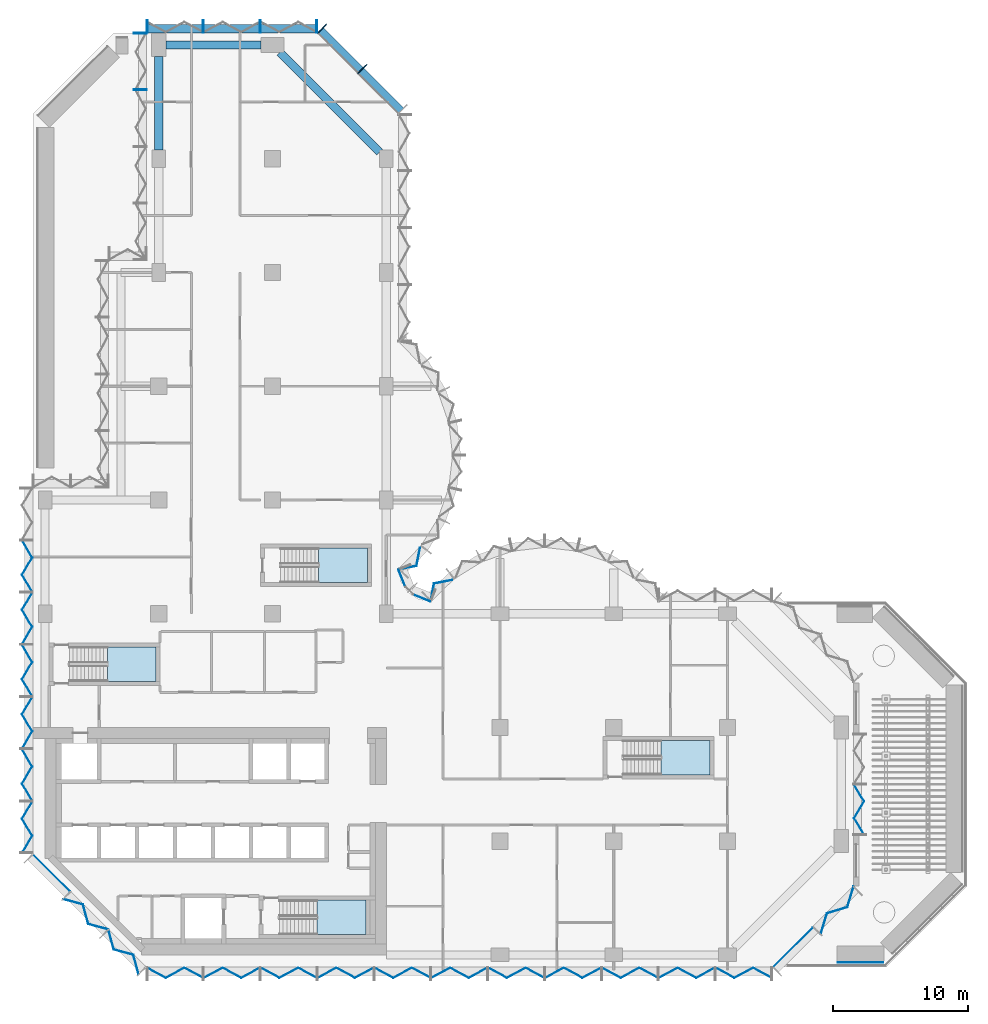
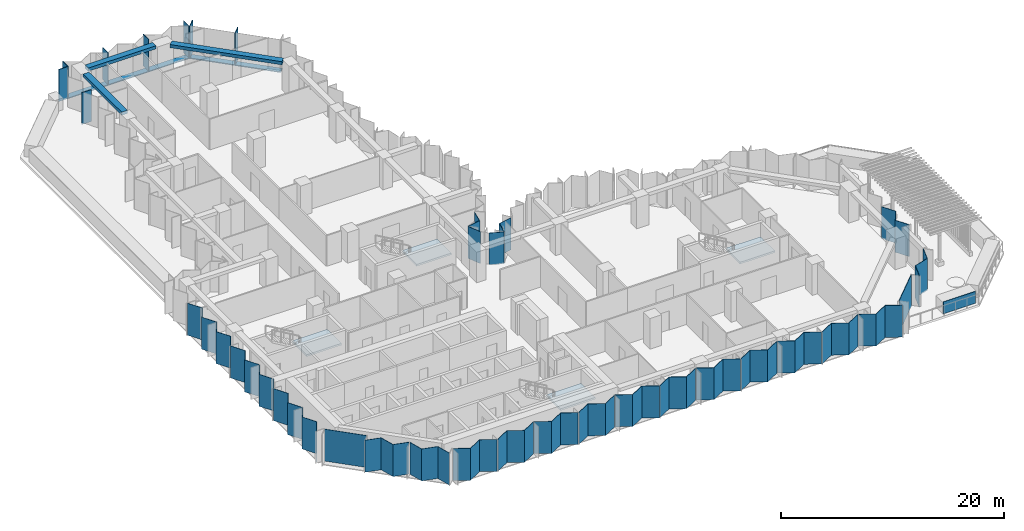
# One storey, part 7 of 18: 28 plates, 10 members, 4 slabs, 3 beams, 15 elements without a shape of their own.
"""IFC4 building model written with IfcOpenShell, lengths in metres."""

from ifc_helpers import new_model, si_unit, direction, frame, origin, origin_2d, place, context, subcontext, project, spatial, polyline, rectangle, outline, extrude, material, layer, layer_set, material_profile, profile_set, type_object, element, aggregate, save


model = new_model("IFC4")

# Units and contexts
model_context = context("Model", 3, precision=1e-05, world=origin(), true_north=direction((0.0, 1.0)))
body_context = subcontext(model_context, "Body", "Model", "MODEL_VIEW")
ifc_project = project(units=[si_unit("LENGTHUNIT", "METRE"), si_unit("AREAUNIT", "SQUARE_METRE"), si_unit("VOLUMEUNIT", "CUBIC_METRE"), si_unit("PLANEANGLEUNIT", "RADIAN"), si_unit("MASSUNIT", "GRAM", prefix="KILO")], contexts=[model_context])

# Site, building, storey
site_placement = place(None, origin())
site = spatial("IfcSite", under=ifc_project, at=site_placement, CompositionType="ELEMENT")
building_placement = place(site_placement, origin())
building = spatial("IfcBuilding", under=site, at=building_placement, Name="Brevane Broadcast Tower", CompositionType="ELEMENT")
storey_placement = place(building_placement, frame((0.0, 0.0, 134.89990234375)))
storey = spatial("IfcBuildingStorey", under=building, at=storey_placement, Name="L33", CompositionType="ELEMENT", Elevation=134.89990234375)

# Curtain wall, members
ifc_material_1 = material(Name="Aluminium 6063-T6 bronze anodised", Category="aluminium")
curtain_wall_type = type_object("IfcCurtainWallType", Name="CW-1 curtain wall", PredefinedType="NOTDEFINED", material=ifc_material_1)
curtain_wall_1_placement = place(storey_placement, origin())
curtain_wall_1 = element("IfcCurtainWall", 1, at=curtain_wall_1_placement, inside=storey, type_object=curtain_wall_type, Name="CW-1 typical tilted unit L33 north arm north-east chamfer", PredefinedType="NOTDEFINED")
ifc_material_profile_1 = material_profile(ifc_material_1, rectangle(XDim=0.949951171875, YDim=0.070068359375, at=origin_2d()), Name="RECT 70x950")
ifc_profile_set_1 = profile_set([ifc_material_profile_1], Name="Aluminium 6063-T6 bronze anodised")
member_type_1 = type_object("IfcMemberType", Name="CW-1 mullion 70x950", PredefinedType="MULLION", material=ifc_profile_set_1)
member_1_placement = place(storey_placement, frame((23.435791015625, 65.435791015625, -0.14990234375), z_axis=(0.0, 0.0, 1.0), x_axis=(-0.707106781187, -0.707106781187, 0.0)))
member_1 = element("IfcMember", 2, at=member_1_placement, type_object=member_type_1, Name="CW-1 mullion", PredefinedType="MULLION", context=body_context, shape_type="SweptSolid", body=[
    extrude(rectangle(XDim=0.949951171875, YDim=0.070068359375, at=origin_2d()), origin(), (0.0, 0.0, 1.0), 3.5),
])
member_2_placement = place(storey_placement, frame((20.460693359375, 68.4111328125, -0.14990234375), z_axis=(0.0, 0.0, 1.0), x_axis=(-0.707106781187, -0.707106781187, 0.0)))
member_2 = element("IfcMember", 3, at=member_2_placement, type_object=member_type_1, Name="CW-1 mullion", PredefinedType="MULLION", context=body_context, shape_type="SweptSolid", body=[
    extrude(rectangle(XDim=0.949951171875, YDim=0.070068359375, at=origin_2d()), origin(), (0.0, 0.0, 1.0), 3.5),
])

curtain_wall_2_placement = place(storey_placement, origin())
curtain_wall_2 = element("IfcCurtainWall", 4, at=curtain_wall_2_placement, inside=storey, type_object=curtain_wall_type, Name="CW-1 typical tilted unit L33 north end", PredefinedType="NOTDEFINED")
member_3_placement = place(storey_placement, frame((20.06494140625, 68.574951171875, -0.14990234375), z_axis=(0.0, 0.0, 1.0), x_axis=(0.0, -1.0, 0.0)))
member_3 = element("IfcMember", 5, at=member_3_placement, type_object=member_type_1, Name="CW-1 mullion", PredefinedType="MULLION", context=body_context, shape_type="SweptSolid", body=[
    extrude(rectangle(XDim=0.949951171875, YDim=0.070068359375, at=origin_2d()), origin(), (0.0, 0.0, 1.0), 3.5),
])
member_4_placement = place(storey_placement, frame((15.89990234375, 68.574951171875, -0.14990234375), z_axis=(0.0, 0.0, 1.0), x_axis=(0.0, -1.0, 0.0)))
member_4 = element("IfcMember", 6, at=member_4_placement, type_object=member_type_1, Name="CW-1 mullion", PredefinedType="MULLION", context=body_context, shape_type="SweptSolid", body=[
    extrude(rectangle(XDim=0.949951171875, YDim=0.070068359375, at=origin_2d()), origin(), (0.0, 0.0, 1.0), 3.5),
])
member_5_placement = place(storey_placement, frame((11.699951171875, 68.574951171875, -0.14990234375), z_axis=(0.0, 0.0, 1.0), x_axis=(0.0, -1.0, 0.0)))
member_5 = element("IfcMember", 7, at=member_5_placement, type_object=member_type_1, Name="CW-1 mullion", PredefinedType="MULLION", context=body_context, shape_type="SweptSolid", body=[
    extrude(rectangle(XDim=0.949951171875, YDim=0.070068359375, at=origin_2d()), origin(), (0.0, 0.0, 1.0), 3.5),
])
member_6_placement = place(storey_placement, frame((7.534912109375, 68.574951171875, -0.14990234375), z_axis=(0.0, 0.0, 1.0), x_axis=(0.0, -1.0, 0.0)))
member_6 = element("IfcMember", 8, at=member_6_placement, type_object=member_type_1, Name="CW-1 mullion", PredefinedType="MULLION", context=body_context, shape_type="SweptSolid", body=[
    extrude(rectangle(XDim=0.949951171875, YDim=0.070068359375, at=origin_2d()), origin(), (0.0, 0.0, 1.0), 3.5),
])

curtain_wall_3_placement = place(storey_placement, origin())
curtain_wall_3 = element("IfcCurtainWall", 9, at=curtain_wall_3_placement, inside=storey, type_object=curtain_wall_type, Name="CW-1 typical tilted unit L33 north wing west face above the set-back", PredefinedType="NOTDEFINED")
member_7_placement = place(storey_placement, frame((7.02490234375, 68.06494140625, -0.14990234375), z_axis=(0.0, 0.0, 1.0), x_axis=(1.0, 0.0, 0.0)))
member_7 = element("IfcMember", 10, at=member_7_placement, type_object=member_type_1, Name="CW-1 mullion", PredefinedType="MULLION", context=body_context, shape_type="SweptSolid", body=[
    extrude(rectangle(XDim=0.949951171875, YDim=0.070068359375, at=origin_2d()), origin(), (0.0, 0.0, 1.0), 3.5),
])
member_8_placement = place(storey_placement, frame((7.02490234375, 63.89990234375, -0.14990234375), z_axis=(0.0, 0.0, 1.0), x_axis=(1.0, 0.0, 0.0)))
member_8 = element("IfcMember", 11, at=member_8_placement, type_object=member_type_1, Name="CW-1 mullion", PredefinedType="MULLION", context=body_context, shape_type="SweptSolid", body=[
    extrude(rectangle(XDim=0.949951171875, YDim=0.070068359375, at=origin_2d()), origin(), (0.0, 0.0, 1.0), 3.5),
])
aggregate(curtain_wall_3, [member_7, member_8])

# Member
ifc_material_profile_2 = material_profile(ifc_material_1, rectangle(XDim=0.60009765625, YDim=0.10009765625, at=origin_2d()), Name="RECT 100x600")
ifc_profile_set_2 = profile_set([ifc_material_profile_2], Name="Aluminium 6063-T6 bronze anodised")
member_type_2 = type_object("IfcMemberType", Name="CW-1 transom 100x600", PredefinedType="USERDEFINED", material=ifc_profile_set_2)
member_9_placement = place(storey_placement, frame((26.31201171875, 62.31201171875, -0.199951171875), z_axis=(-0.707106781187, 0.707106781187, 0.0), x_axis=(-0.707106781187, -0.707106781187, 0.0)))
member_9 = element("IfcMember", 12, at=member_9_placement, type_object=member_type_2, Name="CW-1 transom", ObjectType="TRANSOM", PredefinedType="USERDEFINED", context=body_context, shape_type="SweptSolid", body=[
    extrude(rectangle(XDim=0.60009765625, YDim=0.10009765625, at=origin_2d()), origin(), (0.0, 0.0, 1.0), 8.4853515625),
])

aggregate(curtain_wall_1, [member_1, member_2, member_9])

member_10_placement = place(storey_placement, frame((20.10009765625, 68.39990234375, -0.199951171875), z_axis=(-1.0, 0.0, 0.0), x_axis=(0.0, -1.0, 0.0)))
member_10 = element("IfcMember", 13, at=member_10_placement, type_object=member_type_2, Name="CW-1 transom", ObjectType="TRANSOM", PredefinedType="USERDEFINED", context=body_context, shape_type="SweptSolid", body=[
    extrude(rectangle(XDim=0.60009765625, YDim=0.10009765625, at=origin_2d()), origin(), (0.0, 0.0, 1.0), 12.60009765625),
])

aggregate(curtain_wall_2, [member_3, member_4, member_5, member_6, member_10])

# Beams
ifc_material_2 = material(Name="Concrete C40/50", Category="concrete")
ifc_material_profile_3 = material_profile(ifc_material_2, rectangle(XDim=0.60009765625, YDim=0.35009765625, at=origin_2d()), Name="RC 600x350")
ifc_profile_set_3 = profile_set([ifc_material_profile_3], Name="Concrete C40/50")
beam_type = type_object("IfcBeamType", Name="RC SPANDREL BEAM 600x350 C40/50", PredefinedType="SPANDREL", material=ifc_profile_set_3)
beam_1_placement = place(storey_placement, frame((24.699951171875, 59.300048828125, 3.175048828125), z_axis=(-0.707106781187, 0.707106781187, 0.0), x_axis=(-0.707106781187, -0.707106781187, 0.0)))
element("IfcBeam", 14, at=beam_1_placement, inside=storey, type_object=beam_type, Name="EB1 L33-14", PredefinedType="SPANDREL", context=body_context, shape_type="SweptSolid", body=[
    extrude(rectangle(XDim=0.60009765625, YDim=0.35009765625, at=origin_2d()), origin(), (0.0, 0.0, 1.0), 10.394287109375),
])
beam_2_placement = place(storey_placement, frame((15.949951171875, 67.199951171875, 3.175048828125), z_axis=(-1.0, 0.0, 0.0), x_axis=(0.0, -1.0, 0.0)))
element("IfcBeam", 15, at=beam_2_placement, inside=storey, type_object=beam_type, Name="EB1 L33-15", PredefinedType="SPANDREL", context=body_context, shape_type="SweptSolid", body=[
    extrude(rectangle(XDim=0.60009765625, YDim=0.35009765625, at=origin_2d()), origin(), (0.0, 0.0, 1.0), 7.0),
])
beam_3_placement = place(storey_placement, frame((8.39990234375, 59.449951171875, 3.175048828125), z_axis=(0.0, 1.0, 0.0), x_axis=(-1.0, 0.0, 0.0)))
element("IfcBeam", 16, at=beam_3_placement, inside=storey, type_object=beam_type, Name="EB1 L33-23", PredefinedType="SPANDREL", context=body_context, shape_type="SweptSolid", body=[
    extrude(rectangle(XDim=0.60009765625, YDim=0.35009765625, at=origin_2d()), origin(), (0.0, 0.0, 1.0), 6.900146484375),
])

# Curtain wall, plates
curtain_wall_4_placement = place(storey_placement, origin())
curtain_wall_4 = element("IfcCurtainWall", 17, at=curtain_wall_4_placement, inside=storey, type_object=curtain_wall_type, Name="CW-1 typical tilted unit L33 south face", PredefinedType="NOTDEFINED")
ifc_material_3 = material(Name="Laminated glass bronze-tinted", Category="glass")
ifc_layer_1 = layer(ifc_material_3, 0.0400390625)
ifc_layer_set_1 = layer_set([ifc_layer_1], Name="CW tall glass panel 40")
plate_type_1 = type_object("IfcPlateType", Name="CW tall glass panel 40", PredefinedType="CURTAIN_PANEL", material=ifc_layer_set_1)
plate_1_placement = place(storey_placement, frame((0.0, 0.0, -0.14990234375)))
plate_1 = element("IfcPlate", 18, at=plate_1_placement, type_object=plate_type_1, Name="CW-1 glass panel", PredefinedType="CURTAIN_PANEL", context=body_context, shape_type="SweptSolid", body=[
    extrude(outline(polyline([(7.534912109375, -0.92724609375), (7.534912109375, -0.97265625), (8.91162109375, -1.717041015625), (10.288330078125, -0.97265625), (11.6650390625, -1.717041015625), (11.6650390625, -1.671630859375), (10.288330078125, -0.92724609375), (8.91162109375, -1.671630859375), (7.534912109375, -0.92724609375)])), origin(), (0.0, 0.0, 1.0), 3.5),
])
plate_2_placement = place(storey_placement, frame((0.0, 0.0, -0.14990234375)))
plate_2 = element("IfcPlate", 19, at=plate_2_placement, type_object=plate_type_1, Name="CW-1 glass panel", PredefinedType="CURTAIN_PANEL", context=body_context, shape_type="SweptSolid", body=[
    extrude(outline(polyline([(11.735107421875, -1.671630859375), (11.735107421875, -1.717041015625), (13.11181640625, -0.97265625), (14.48828125, -1.717041015625), (15.864990234375, -0.97265625), (15.864990234375, -0.92724609375), (14.48828125, -1.671630859375), (13.11181640625, -0.92724609375), (11.735107421875, -1.671630859375)])), origin(), (0.0, 0.0, 1.0), 3.5),
])
plate_3_placement = place(storey_placement, frame((0.0, 0.0, -0.14990234375)))
plate_3 = element("IfcPlate", 20, at=plate_3_placement, type_object=plate_type_1, Name="CW-1 glass panel", PredefinedType="CURTAIN_PANEL", context=body_context, shape_type="SweptSolid", body=[
    extrude(outline(polyline([(15.93505859375, -0.92724609375), (15.93505859375, -0.97265625), (17.311767578125, -1.717041015625), (18.688232421875, -0.97265625), (20.06494140625, -1.717041015625), (20.06494140625, -1.671630859375), (18.688232421875, -0.92724609375), (17.311767578125, -1.671630859375), (15.93505859375, -0.92724609375)])), origin(), (0.0, 0.0, 1.0), 3.5),
])
plate_4_placement = place(storey_placement, frame((0.0, 0.0, -0.14990234375)))
plate_4 = element("IfcPlate", 21, at=plate_4_placement, type_object=plate_type_1, Name="CW-1 glass panel", PredefinedType="CURTAIN_PANEL", context=body_context, shape_type="SweptSolid", body=[
    extrude(outline(polyline([(20.135009765625, -1.671630859375), (20.135009765625, -1.717041015625), (21.51171875, -0.97265625), (22.88818359375, -1.717041015625), (24.264892578125, -0.97265625), (24.264892578125, -0.92724609375), (22.88818359375, -1.671630859375), (21.51171875, -0.92724609375), (20.135009765625, -1.671630859375)])), origin(), (0.0, 0.0, 1.0), 3.5),
])
plate_5_placement = place(storey_placement, frame((0.0, 0.0, -0.14990234375)))
plate_5 = element("IfcPlate", 22, at=plate_5_placement, type_object=plate_type_1, Name="CW-1 glass panel", PredefinedType="CURTAIN_PANEL", context=body_context, shape_type="SweptSolid", body=[
    extrude(outline(polyline([(24.3349609375, -0.92724609375), (24.3349609375, -0.97265625), (25.711669921875, -1.717041015625), (27.08837890625, -0.97265625), (28.465087890625, -1.717041015625), (28.465087890625, -1.671630859375), (27.08837890625, -0.92724609375), (25.711669921875, -1.671630859375), (24.3349609375, -0.92724609375)])), origin(), (0.0, 0.0, 1.0), 3.5),
])
plate_6_placement = place(storey_placement, frame((0.0, 0.0, -0.14990234375)))
plate_6 = element("IfcPlate", 23, at=plate_6_placement, type_object=plate_type_1, Name="CW-1 glass panel", PredefinedType="CURTAIN_PANEL", context=body_context, shape_type="SweptSolid", body=[
    extrude(outline(polyline([(28.534912109375, -1.671630859375), (28.534912109375, -1.717041015625), (29.91162109375, -0.97265625), (31.288330078125, -1.717041015625), (32.6650390625, -0.97265625), (32.6650390625, -0.92724609375), (31.288330078125, -1.671630859375), (29.91162109375, -0.92724609375), (28.534912109375, -1.671630859375)])), origin(), (0.0, 0.0, 1.0), 3.5),
])
plate_7_placement = place(storey_placement, frame((0.0, 0.0, -0.14990234375)))
plate_7 = element("IfcPlate", 24, at=plate_7_placement, type_object=plate_type_1, Name="CW-1 glass panel", PredefinedType="CURTAIN_PANEL", context=body_context, shape_type="SweptSolid", body=[
    extrude(outline(polyline([(32.735107421875, -0.92724609375), (32.735107421875, -0.97265625), (34.11181640625, -1.717041015625), (35.48828125, -0.97265625), (36.864990234375, -1.717041015625), (36.864990234375, -1.671630859375), (35.48828125, -0.92724609375), (34.11181640625, -1.671630859375), (32.735107421875, -0.92724609375)])), origin(), (0.0, 0.0, 1.0), 3.5),
])
plate_8_placement = place(storey_placement, frame((0.0, 0.0, -0.14990234375)))
plate_8 = element("IfcPlate", 25, at=plate_8_placement, type_object=plate_type_1, Name="CW-1 glass panel", PredefinedType="CURTAIN_PANEL", context=body_context, shape_type="SweptSolid", body=[
    extrude(outline(polyline([(36.93505859375, -1.671630859375), (36.93505859375, -1.717041015625), (38.311767578125, -0.97265625), (39.688232421875, -1.717041015625), (41.06494140625, -0.97265625), (41.06494140625, -0.92724609375), (39.688232421875, -1.671630859375), (38.311767578125, -0.92724609375), (36.93505859375, -1.671630859375)])), origin(), (0.0, 0.0, 1.0), 3.5),
])
plate_9_placement = place(storey_placement, frame((0.0, 0.0, -0.14990234375)))
plate_9 = element("IfcPlate", 26, at=plate_9_placement, type_object=plate_type_1, Name="CW-1 glass panel", PredefinedType="CURTAIN_PANEL", context=body_context, shape_type="SweptSolid", body=[
    extrude(outline(polyline([(41.135009765625, -0.92724609375), (41.135009765625, -0.97265625), (42.51171875, -1.717041015625), (43.88818359375, -0.97265625), (45.264892578125, -1.717041015625), (45.264892578125, -1.671630859375), (43.88818359375, -0.92724609375), (42.51171875, -1.671630859375), (41.135009765625, -0.92724609375)])), origin(), (0.0, 0.0, 1.0), 3.5),
])
plate_10_placement = place(storey_placement, frame((0.0, 0.0, -0.14990234375)))
plate_10 = element("IfcPlate", 27, at=plate_10_placement, type_object=plate_type_1, Name="CW-1 glass panel", PredefinedType="CURTAIN_PANEL", context=body_context, shape_type="SweptSolid", body=[
    extrude(outline(polyline([(45.3349609375, -1.671630859375), (45.3349609375, -1.717041015625), (46.711669921875, -0.97265625), (48.08837890625, -1.717041015625), (49.465087890625, -0.97265625), (49.465087890625, -0.92724609375), (48.08837890625, -1.671630859375), (46.711669921875, -0.92724609375), (45.3349609375, -1.671630859375)])), origin(), (0.0, 0.0, 1.0), 3.5),
])
plate_11_placement = place(storey_placement, frame((0.0, 0.0, -0.14990234375)))
plate_11 = element("IfcPlate", 28, at=plate_11_placement, type_object=plate_type_1, Name="CW-1 glass panel", PredefinedType="CURTAIN_PANEL", context=body_context, shape_type="SweptSolid", body=[
    extrude(outline(polyline([(49.534912109375, -0.92724609375), (49.534912109375, -0.97265625), (50.91162109375, -1.717041015625), (52.288330078125, -0.97265625), (53.6650390625, -1.717041015625), (53.6650390625, -1.671630859375), (52.288330078125, -0.92724609375), (50.91162109375, -1.671630859375), (49.534912109375, -0.92724609375)])), origin(), (0.0, 0.0, 1.0), 3.5),
])
aggregate(curtain_wall_4, [plate_1, plate_2, plate_3, plate_4, plate_5, plate_6, plate_7, plate_8, plate_9, plate_10, plate_11])

curtain_wall_5_placement = place(storey_placement, origin())
curtain_wall_5 = element("IfcCurtainWall", 29, at=curtain_wall_5_placement, inside=storey, type_object=curtain_wall_type, Name="CW-1 typical tilted unit L33 south-east chamfer", PredefinedType="NOTDEFINED")
plate_12_placement = place(storey_placement, frame((0.0, 0.0, -0.14990234375)))
plate_12 = element("IfcPlate", 30, at=plate_12_placement, type_object=plate_type_1, Name="CW-1 glass panel", PredefinedType="CURTAIN_PANEL", context=body_context, shape_type="SweptSolid", body=[
    extrude(outline(polyline([(53.74609375, -0.896484375), (56.696533203125, 2.053955078125), (56.724609375, 2.02587890625), (53.774169921875, -0.9248046875), (53.74609375, -0.896484375)])), origin(), (0.0, 0.0, 1.0), 3.5),
])
plate_13_placement = place(storey_placement, frame((0.0, 0.0, -0.14990234375)))
plate_13 = element("IfcPlate", 31, at=plate_13_placement, type_object=plate_type_1, Name="CW-1 glass panel", PredefinedType="CURTAIN_PANEL", context=body_context, shape_type="SweptSolid", body=[
    extrude(outline(polyline([(57.2705078125, 1.5791015625), (57.302490234375, 1.547119140625), (57.759521484375, 3.056884765625), (59.26953125, 3.513916015625), (59.7265625, 5.02392578125), (59.694580078125, 5.055908203125), (59.2373046875, 3.546142578125), (57.7275390625, 3.0888671875), (57.2705078125, 1.5791015625)])), origin(), (0.0, 0.0, 1.0), 3.5),
])
aggregate(curtain_wall_5, [plate_12, plate_13])

# Curtain wall, plate
curtain_wall_6_placement = place(storey_placement, origin())
curtain_wall_6 = element("IfcCurtainWall", 32, at=curtain_wall_6_placement, inside=storey, type_object=curtain_wall_type, Name="CW-1 typical tilted unit L33 east end", PredefinedType="NOTDEFINED")
plate_14_placement = place(storey_placement, frame((0.0, 0.0, -0.14990234375)))
plate_14 = element("IfcPlate", 33, at=plate_14_placement, type_object=plate_type_1, Name="CW-1 glass panel", PredefinedType="CURTAIN_PANEL", context=body_context, shape_type="SweptSolid", body=[
    extrude(outline(polyline([(60.470947265625, 8.885009765625), (60.517822265625, 8.885009765625), (59.7734375, 10.11181640625), (60.517822265625, 11.33837890625), (59.7734375, 12.56494140625), (59.7265625, 12.56494140625), (60.470947265625, 11.33837890625), (59.7265625, 10.11181640625), (60.470947265625, 8.885009765625)])), origin(), (0.0, 0.0, 1.0), 3.5),
])
aggregate(curtain_wall_6, [plate_14])

curtain_wall_7_placement = place(storey_placement, origin())
curtain_wall_7 = element("IfcCurtainWall", 34, at=curtain_wall_7_placement, inside=storey, type_object=curtain_wall_type, Name="CW-1 typical tilted unit L33 east bow", PredefinedType="NOTDEFINED")
plate_15_placement = place(storey_placement, frame((0.0, 0.0, -0.14990234375)))
plate_15 = element("IfcPlate", 35, at=plate_15_placement, type_object=plate_type_1, Name="CW-1 glass panel", PredefinedType="CURTAIN_PANEL", context=body_context, shape_type="SweptSolid", body=[
    extrude(outline(polyline([(30.089111328125, 27.67626953125), (30.0615234375, 27.71142578125), (28.7138671875, 27.447265625), (28.471923828125, 26.17919921875), (28.506103515625, 26.14404296875), (28.748046875, 27.4130859375), (30.089111328125, 27.67626953125)])), origin(), (0.0, 0.0, 1.0), 3.5),
])
aggregate(curtain_wall_7, [plate_15])

# Curtain wall, plates
curtain_wall_8_placement = place(storey_placement, origin())
curtain_wall_8 = element("IfcCurtainWall", 36, at=curtain_wall_8_placement, inside=storey, type_object=curtain_wall_type, Name="CW-1 typical tilted unit L33 inner corner", PredefinedType="NOTDEFINED")
plate_16_placement = place(storey_placement, frame((0.0, 0.0, -0.14990234375)))
plate_16 = element("IfcPlate", 37, at=plate_16_placement, type_object=plate_type_1, Name="CW-1 glass panel", PredefinedType="CURTAIN_PANEL", context=body_context, shape_type="SweptSolid", body=[
    extrude(outline(polyline([(28.45166015625, 26.07470703125), (28.466796875, 26.111572265625), (27.2021484375, 26.635498046875), (27.17138671875, 26.60498046875), (28.45166015625, 26.07470703125)])), origin(), (0.0, 0.0, 1.0), 3.5),
])
plate_17_placement = place(storey_placement, frame((0.0, 0.0, -0.14990234375)))
plate_17 = element("IfcPlate", 38, at=plate_17_placement, type_object=plate_type_1, Name="CW-1 glass panel", PredefinedType="CURTAIN_PANEL", context=body_context, shape_type="SweptSolid", body=[
    extrude(outline(polyline([(26.60498046875, 27.17138671875), (26.635498046875, 27.2021484375), (26.111572265625, 28.466796875), (26.07470703125, 28.45166015625), (26.60498046875, 27.17138671875)])), origin(), (0.0, 0.0, 1.0), 3.5),
])
aggregate(curtain_wall_8, [plate_16, plate_17])

# Curtain wall, plate
curtain_wall_9_placement = place(storey_placement, origin())
curtain_wall_9 = element("IfcCurtainWall", 39, at=curtain_wall_9_placement, inside=storey, type_object=curtain_wall_type, Name="CW-1 typical tilted unit L33 north bow", PredefinedType="NOTDEFINED")
plate_18_placement = place(storey_placement, frame((0.0, 0.0, -0.14990234375)))
plate_18 = element("IfcPlate", 40, at=plate_18_placement, type_object=plate_type_1, Name="CW-1 glass panel", PredefinedType="CURTAIN_PANEL", context=body_context, shape_type="SweptSolid", body=[
    extrude(outline(polyline([(26.14404296875, 28.506103515625), (26.17919921875, 28.471923828125), (27.447265625, 28.7138671875), (27.71142578125, 30.0615234375), (27.67626953125, 30.089111328125), (27.4130859375, 28.748046875), (26.14404296875, 28.506103515625)])), origin(), (0.0, 0.0, 1.0), 3.5),
])
aggregate(curtain_wall_9, [plate_18])

# Curtain wall, plates
curtain_wall_10_placement = place(storey_placement, origin())
curtain_wall_10 = element("IfcCurtainWall", 41, at=curtain_wall_10_placement, inside=storey, type_object=curtain_wall_type, Name="CW-1 typical tilted unit L33 west face", PredefinedType="NOTDEFINED")
plate_19_placement = place(storey_placement, frame((0.0, 0.0, -0.14990234375)))
plate_19 = element("IfcPlate", 42, at=plate_19_placement, type_object=plate_type_1, Name="CW-1 glass panel", PredefinedType="CURTAIN_PANEL", context=body_context, shape_type="SweptSolid", body=[
    extrude(outline(polyline([(-1.671142578125, 30.60791015625), (-1.717529296875, 30.60791015625), (-0.97314453125, 29.345458984375), (-1.717529296875, 28.0830078125), (-0.97314453125, 26.82080078125), (-0.9267578125, 26.82080078125), (-1.671142578125, 28.0830078125), (-0.9267578125, 29.345458984375), (-1.671142578125, 30.60791015625)])), origin(), (0.0, 0.0, 1.0), 3.5),
])
plate_20_placement = place(storey_placement, frame((0.0, 0.0, -0.14990234375)))
plate_20 = element("IfcPlate", 43, at=plate_20_placement, type_object=plate_type_1, Name="CW-1 glass panel", PredefinedType="CURTAIN_PANEL", context=body_context, shape_type="SweptSolid", body=[
    extrude(outline(polyline([(-0.9267578125, 26.750732421875), (-0.97314453125, 26.750732421875), (-1.717529296875, 25.48828125), (-0.97314453125, 24.22607421875), (-1.717529296875, 22.963623046875), (-1.671142578125, 22.963623046875), (-0.9267578125, 24.22607421875), (-1.671142578125, 25.48828125), (-0.9267578125, 26.750732421875)])), origin(), (0.0, 0.0, 1.0), 3.5),
])
plate_21_placement = place(storey_placement, frame((0.0, 0.0, -0.14990234375)))
plate_21 = element("IfcPlate", 44, at=plate_21_placement, type_object=plate_type_1, Name="CW-1 glass panel", PredefinedType="CURTAIN_PANEL", context=body_context, shape_type="SweptSolid", body=[
    extrude(outline(polyline([(-1.671142578125, 22.8935546875), (-1.717529296875, 22.8935546875), (-0.97314453125, 21.631103515625), (-1.717529296875, 20.368896484375), (-0.97314453125, 19.1064453125), (-0.9267578125, 19.1064453125), (-1.671142578125, 20.368896484375), (-0.9267578125, 21.631103515625), (-1.671142578125, 22.8935546875)])), origin(), (0.0, 0.0, 1.0), 3.5),
])
plate_22_placement = place(storey_placement, frame((0.0, 0.0, -0.14990234375)))
plate_22 = element("IfcPlate", 45, at=plate_22_placement, type_object=plate_type_1, Name="CW-1 glass panel", PredefinedType="CURTAIN_PANEL", context=body_context, shape_type="SweptSolid", body=[
    extrude(outline(polyline([(-0.9267578125, 19.036376953125), (-0.97314453125, 19.036376953125), (-1.717529296875, 17.77392578125), (-0.97314453125, 16.51171875), (-1.717529296875, 15.249267578125), (-1.671142578125, 15.249267578125), (-0.9267578125, 16.51171875), (-1.671142578125, 17.77392578125), (-0.9267578125, 19.036376953125)])), origin(), (0.0, 0.0, 1.0), 3.5),
])
plate_23_placement = place(storey_placement, frame((0.0, 0.0, -0.14990234375)))
plate_23 = element("IfcPlate", 46, at=plate_23_placement, type_object=plate_type_1, Name="CW-1 glass panel", PredefinedType="CURTAIN_PANEL", context=body_context, shape_type="SweptSolid", body=[
    extrude(outline(polyline([(-1.671142578125, 15.17919921875), (-1.717529296875, 15.17919921875), (-0.97314453125, 13.9169921875), (-1.717529296875, 12.654541015625), (-0.97314453125, 11.39208984375), (-0.9267578125, 11.39208984375), (-1.671142578125, 12.654541015625), (-0.9267578125, 13.9169921875), (-1.671142578125, 15.17919921875)])), origin(), (0.0, 0.0, 1.0), 3.5),
])
plate_24_placement = place(storey_placement, frame((0.0, 0.0, -0.14990234375)))
plate_24 = element("IfcPlate", 47, at=plate_24_placement, type_object=plate_type_1, Name="CW-1 glass panel", PredefinedType="CURTAIN_PANEL", context=body_context, shape_type="SweptSolid", body=[
    extrude(outline(polyline([(-0.9267578125, 11.322021484375), (-0.97314453125, 11.322021484375), (-1.717529296875, 10.059814453125), (-0.97314453125, 8.79736328125), (-1.717529296875, 7.534912109375), (-1.671142578125, 7.534912109375), (-0.9267578125, 8.79736328125), (-1.671142578125, 10.059814453125), (-0.9267578125, 11.322021484375)])), origin(), (0.0, 0.0, 1.0), 3.5),
])
aggregate(curtain_wall_10, [plate_19, plate_20, plate_21, plate_22, plate_23, plate_24])

curtain_wall_11_placement = place(storey_placement, origin())
curtain_wall_11 = element("IfcCurtainWall", 48, at=curtain_wall_11_placement, inside=storey, type_object=curtain_wall_type, Name="CW-1 typical tilted unit L33 south-west chamfer", PredefinedType="NOTDEFINED")
plate_25_placement = place(storey_placement, frame((0.0, 0.0, -0.14990234375)))
plate_25 = element("IfcPlate", 49, at=plate_25_placement, type_object=plate_type_1, Name="CW-1 glass panel", PredefinedType="CURTAIN_PANEL", context=body_context, shape_type="SweptSolid", body=[
    extrude(outline(polyline([(-0.896484375, 7.4541015625), (1.85400390625, 4.70361328125), (1.82568359375, 4.67529296875), (-0.9248046875, 7.42578125), (-0.896484375, 7.4541015625)])), origin(), (0.0, 0.0, 1.0), 3.5),
])
plate_26_placement = place(storey_placement, frame((0.0, 0.0, -0.14990234375)))
plate_26 = element("IfcPlate", 50, at=plate_26_placement, type_object=plate_type_1, Name="CW-1 glass panel", PredefinedType="CURTAIN_PANEL", context=body_context, shape_type="SweptSolid", body=[
    extrude(outline(polyline([(1.37939453125, 4.1298828125), (1.3466796875, 4.09716796875), (2.789794921875, 3.706787109375), (3.180419921875, 2.263671875), (4.62353515625, 1.873046875), (4.65625, 1.90576171875), (3.212890625, 2.296142578125), (2.822509765625, 3.739501953125), (1.37939453125, 4.1298828125)])), origin(), (0.0, 0.0, 1.0), 3.5),
])
plate_27_placement = place(storey_placement, frame((0.0, 0.0, -0.14990234375)))
plate_27 = element("IfcPlate", 51, at=plate_27_placement, type_object=plate_type_1, Name="CW-1 glass panel", PredefinedType="CURTAIN_PANEL", context=body_context, shape_type="SweptSolid", body=[
    extrude(outline(polyline([(4.705810546875, 1.856201171875), (4.673095703125, 1.823486328125), (5.063720703125, 0.38037109375), (6.5068359375, -0.010009765625), (6.897216796875, -1.453369140625), (6.9296875, -1.420654296875), (6.539306640625, 0.0224609375), (5.09619140625, 0.4130859375), (4.705810546875, 1.856201171875)])), origin(), (0.0, 0.0, 1.0), 3.5),
])
aggregate(curtain_wall_11, [plate_25, plate_26, plate_27])

# Stair, slab
ifc_material_4 = material(Name="Concrete C50/60", Category="concrete")
stair_type = type_object("IfcStairType", Name="Exit stair 22 risers", PredefinedType="HALF_TURN_STAIR", material=ifc_material_4)
stair_1_placement = place(storey_placement, origin())
stair_1 = element("IfcStair", 52, at=stair_1_placement, inside=storey, type_object=stair_type, Name="L33 Exit stair ST-1", PredefinedType="HALF_TURN_STAIR")
ifc_layer_2 = layer(ifc_material_4, 0.199951171875)
ifc_layer_set_2 = layer_set([ifc_layer_2], Name="Exit stair landing")
slab_type = type_object("IfcSlabType", Name="Exit stair landing", PredefinedType="LANDING", material=ifc_layer_set_2)
slab_1_placement = place(storey_placement, frame((0.0, 0.0, 1.60009765625)))
slab_1 = element("IfcSlab", 53, at=slab_1_placement, type_object=slab_type, Name="ST-1 landing 1", PredefinedType="LANDING", context=body_context, shape_type="SweptSolid", body=[
    extrude(outline(polyline([(4.60009765625, 20.199951171875), (8.199951171875, 20.199951171875), (8.199951171875, 22.75), (4.60009765625, 22.75), (4.60009765625, 20.199951171875)])), origin(), (0.0, 0.0, 1.0), 0.199951171875),
])
aggregate(stair_1, [slab_1])

stair_2_placement = place(storey_placement, origin())
stair_2 = element("IfcStair", 54, at=stair_2_placement, inside=storey, type_object=stair_type, Name="L33 Exit stair ST-2", PredefinedType="HALF_TURN_STAIR")
slab_2_placement = place(storey_placement, frame((0.0, 0.0, 1.60009765625)))
slab_2 = element("IfcSlab", 55, at=slab_2_placement, type_object=slab_type, Name="ST-2 landing 1", PredefinedType="LANDING", context=body_context, shape_type="SweptSolid", body=[
    extrude(outline(polyline([(20.10009765625, 1.5), (23.699951171875, 1.5), (23.699951171875, 4.050048828125), (20.10009765625, 4.050048828125), (20.10009765625, 1.5)])), origin(), (0.0, 0.0, 1.0), 0.199951171875),
])
aggregate(stair_2, [slab_2])

stair_3_placement = place(storey_placement, origin())
stair_3 = element("IfcStair", 56, at=stair_3_placement, inside=storey, type_object=stair_type, Name="L33 Exit stair ST-3", PredefinedType="HALF_TURN_STAIR")
slab_3_placement = place(storey_placement, frame((0.0, 0.0, 1.60009765625)))
slab_3 = element("IfcSlab", 57, at=slab_3_placement, type_object=slab_type, Name="ST-3 landing 1", PredefinedType="LANDING", context=body_context, shape_type="SweptSolid", body=[
    extrude(outline(polyline([(20.199951171875, 27.5), (23.800048828125, 27.5), (23.800048828125, 30.050048828125), (20.199951171875, 30.050048828125), (20.199951171875, 27.5)])), origin(), (0.0, 0.0, 1.0), 0.199951171875),
])
aggregate(stair_3, [slab_3])

stair_4_placement = place(storey_placement, origin())
stair_4 = element("IfcStair", 58, at=stair_4_placement, inside=storey, type_object=stair_type, Name="L33 Exit stair ST-4", PredefinedType="HALF_TURN_STAIR")
slab_4_placement = place(storey_placement, frame((0.0, 0.0, 1.60009765625)))
slab_4 = element("IfcSlab", 59, at=slab_4_placement, type_object=slab_type, Name="ST-4 landing 1", PredefinedType="LANDING", context=body_context, shape_type="SweptSolid", body=[
    extrude(outline(polyline([(45.5, 13.300048828125), (49.10009765625, 13.300048828125), (49.10009765625, 15.85009765625), (45.5, 15.85009765625), (45.5, 13.300048828125)])), origin(), (0.0, 0.0, 1.0), 0.199951171875),
])
aggregate(stair_4, [slab_4])

# Plate
ifc_material_5 = material(Name="Aluminium bronze anodised", Category="aluminium")
ifc_layer_3 = layer(ifc_material_5, 0.050048828125)
ifc_layer_set_3 = layer_set([ifc_layer_3], Name="Planter fascia plate 1300")
plate_type_2 = type_object("IfcPlateType", Name="Planter fascia plate 1300", PredefinedType="SHEET", material=ifc_layer_set_3)
plate_28_placement = place(storey_placement, frame((58.537353515625, -0.574951171875, 0.0), z_axis=(0.0, -1.0, 0.0), x_axis=(1.0, 0.0, 0.0)))
element("IfcPlate", 60, at=plate_28_placement, inside=storey, type_object=plate_type_2, Name="Bed fascia L33-2", PredefinedType="SHEET", context=body_context, shape_type="SweptSolid", body=[
    extrude(outline(polyline([(0.0, 0.0), (3.357666015625, 0.0), (3.357666015625, 1.300048828125), (0.0, 1.300048828125), (0.0, 0.0)])), origin(), (0.0, 0.0, -1.0), 0.050048828125),
])

save(model, "model.ifc")
